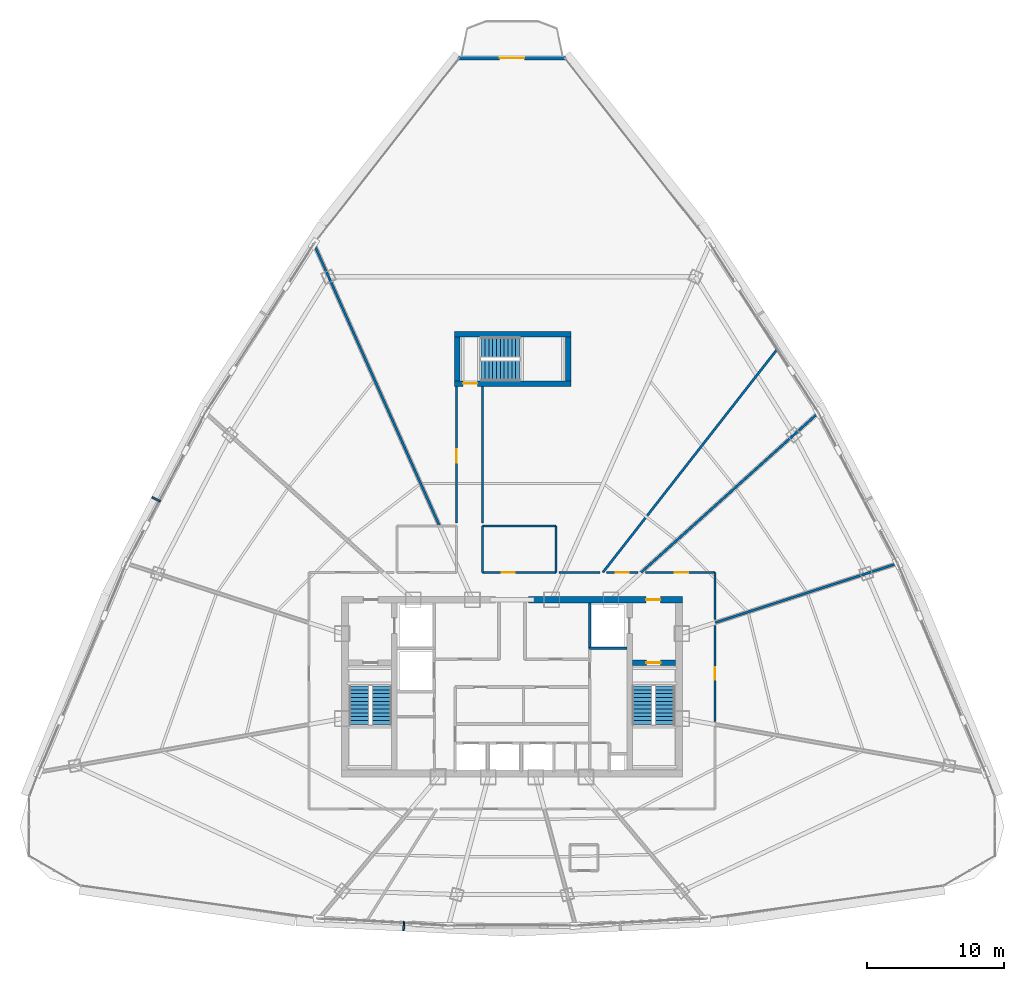
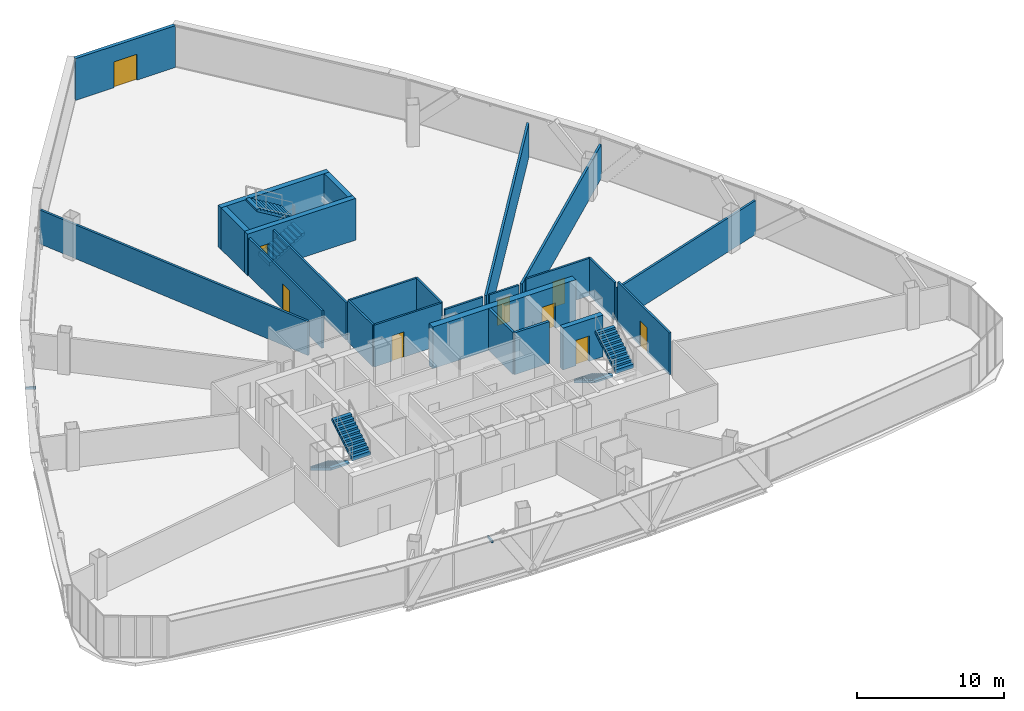
# One storey, part 32 of 37: 24 walls, 9 doors, 6 stair flights, 2 discrete accessories, 9 openings, 3 elements without a shape of their own.
"""IFC4 building model written with IfcOpenShell, lengths in metres."""

from ifc_helpers import new_model, si_unit, direction, frame, frame_2d, origin, origin_with_axes, origin_2d, place, context, subcontext, project, spatial, polyline, rectangle, outline, extrude, source, transform, mapped, material, layer, layer_set, type_object, element, fill, aggregate, save


model = new_model("IFC4")

# Units and contexts
model_context = context("Model", 3, precision=1e-05, world=origin(), true_north=direction((0.0, 1.0)))
body_context = subcontext(model_context, "Body", "Model", "MODEL_VIEW")
ifc_project = project(units=[si_unit("LENGTHUNIT", "METRE"), si_unit("AREAUNIT", "SQUARE_METRE"), si_unit("VOLUMEUNIT", "CUBIC_METRE"), si_unit("PLANEANGLEUNIT", "RADIAN"), si_unit("MASSUNIT", "GRAM", prefix="KILO"), si_unit("THERMODYNAMICTEMPERATUREUNIT", "KELVIN"), si_unit("POWERUNIT", "WATT")], contexts=[model_context])

# Site, building, storey
site_placement = place(None, origin())
site = spatial("IfcSite", under=ifc_project, at=site_placement, CompositionType="ELEMENT")
building_placement = place(site_placement, origin())
building = spatial("IfcBuilding", under=site, at=building_placement, Name="Yunzhuo Pagoda Commons", CompositionType="ELEMENT")
storey_placement = place(building_placement, frame((0.0, 0.0, 240.800048828125)))
storey = spatial("IfcBuildingStorey", under=building, at=storey_placement, Name="L60", CompositionType="ELEMENT", Elevation=240.800048828125)

# Wall, opening, door
ifc_material_1 = material(Name="Precast concrete C40", Category="concrete")
ifc_layer_1 = layer(ifc_material_1, 0.260009765625)
ifc_layer_set_1 = layer_set([ifc_layer_1], Name="Precast concrete C40")
wall_type_1 = type_object("IfcWallType", Name="W-BAL1 Corner Balcony Threshold Wall 260", PredefinedType="STANDARD", material=ifc_layer_set_1)
wall_1_placement = place(storey_placement, frame((51.923583984375, 79.7998046875, 0.0), z_axis=(0.0, 0.0, 1.0), x_axis=(-1.0, 0.0, 0.0)))
wall_1 = element("IfcWall", 1, at=wall_1_placement, inside=storey, type_object=wall_type_1, Name="L60 corner balcony wall V3", PredefinedType="STANDARD", context=body_context, shape_type="SweptSolid", body=[
    extrude(rectangle(XDim=7.84716796875, YDim=0.260009765625, at=frame_2d((3.923583984375, 0.0))), origin(), (0.0, 0.0, 1.0), 3.469970703125),
])
opening_1_placement = place(wall_1_placement, frame((3.023681640625, 0.0, 0.0)))
opening_1 = element("IfcOpeningElement", 2, at=opening_1_placement, cuts=wall_1, Name="Opening D-BAL1", PredefinedType="OPENING", context=body_context, shape_type="SweptSolid", body=[
    extrude(rectangle(XDim=1.800048828125, YDim=2.14990234375, at=frame_2d((0.89990234375, 1.074951171875))), frame((0.0, 0.14013671875, 0.0), z_axis=(0.0, -1.0, 0.0), x_axis=(1.0, 0.0, 0.0)), (0.0, 0.0, 1.0), 0.280029296875),
])
ifc_material_2 = material(Name="Anodized aluminium frame and tempered glazed leaf", Category="aluminium")
door_type_1 = type_object("IfcDoorType", Name="D-BAL1 Corner Balcony Sliding Glazed Door 1800x2150", OperationType="DOUBLE_DOOR_SLIDING", PredefinedType="DOOR", material=ifc_material_2)
shared_shape_1 = source(origin(), body_context, "Body", "SweptSolid", [
    extrude(rectangle(XDim=1.800048828125, YDim=2.14990234375, at=frame_2d((0.89990234375, 1.074951171875))), frame((0.0, 0.02490234375, 0.0), z_axis=(0.0, -1.0, 0.0), x_axis=(1.0, 0.0, 0.0)), (0.0, 0.0, 1.0), 0.050048828125),
])
door_1_placement = place(opening_1_placement, origin_with_axes())
door_1 = element("IfcDoor", 3, at=door_1_placement, inside=storey, type_object=door_type_1, Name="L60 corner balcony sliding door V3", OperationType="DOUBLE_DOOR_SLIDING", OverallHeight=2.14990234375, OverallWidth=1.800048828125, PredefinedType="DOOR", context=body_context, shape_type="MappedRepresentation", body=[
    mapped(shared_shape_1, transform((0.0, 0.0, 0.0), scale=1.0)),
])
fill(opening_1, door_1)

ifc_material_3 = material(Name="Concrete C50", Category="concrete")
ifc_layer_2 = layer(ifc_material_3, 0.5)
ifc_layer_set_2 = layer_set([ifc_layer_2], Name="Concrete C50")
wall_type_2 = type_object("IfcWallType", Name="W-C03 Upper Core Shear Wall 500", PredefinedType="SHEAR", material=ifc_layer_set_2)
wall_2_placement = place(storey_placement, frame((49.199951171875, 40.199951171875, 0.0), z_axis=(0.0, 0.0, 1.0), x_axis=(1.0, 0.0, 0.0)))
wall_2 = element("IfcWall", 4, at=wall_2_placement, inside=storey, type_object=wall_type_2, Name="L60 core shear wall NE", PredefinedType="SHEAR", context=body_context, shape_type="SweptSolid", body=[
    extrude(rectangle(XDim=11.25, YDim=0.5, at=frame_2d((5.625, 0.0))), origin(), (0.0, 0.0, 1.0), 3.469970703125),
])
opening_2_placement = place(wall_2_placement, frame((8.60009765625, 0.0, 0.0)))
opening_2 = element("IfcOpeningElement", 5, at=opening_2_placement, cuts=wall_2, Name="Opening D-02", PredefinedType="OPENING", context=body_context, shape_type="SweptSolid", body=[
    extrude(rectangle(XDim=1.050048828125, YDim=2.10009765625, at=frame_2d((0.52490234375, 1.050048828125))), frame((0.0, 0.260009765625, 0.0), z_axis=(0.0, -1.0, 0.0), x_axis=(1.0, 0.0, 0.0)), (0.0, 0.0, 1.0), 0.52001953125),
])
ifc_material_4 = material(Name="Galvanized fire-resisting metal leaf")
door_type_2 = type_object("IfcDoorType", Name="D-02 Firefighting Lobby & Refuge Fire Door 1050x2100", OperationType="NOTDEFINED", PredefinedType="DOOR", material=ifc_material_4)
shared_shape_2 = source(origin(), body_context, "Body", "SweptSolid", [
    extrude(rectangle(XDim=1.050048828125, YDim=2.10009765625, at=frame_2d((0.52490234375, 1.050048828125))), frame((0.0, 0.02490234375, 0.0), z_axis=(0.0, -1.0, 0.0), x_axis=(1.0, 0.0, 0.0)), (0.0, 0.0, 1.0), 0.050048828125),
])
door_2_placement = place(opening_2_placement, frame((1.050048828125, 0.0, 0.0), z_axis=(0.0, 0.0, 1.0), x_axis=(-1.0, 0.0, 0.0)))
door_2 = element("IfcDoor", 6, at=door_2_placement, inside=storey, type_object=door_type_2, Name="L60 Firefighting Lobby 2 fire door", OperationType="SINGLE_SWING_RIGHT", OverallHeight=2.10009765625, OverallWidth=1.050048828125, PredefinedType="DOOR", context=body_context, shape_type="MappedRepresentation", body=[
    mapped(shared_shape_2, transform((0.0, 0.0, 0.0), scale=1.0)),
])
fill(opening_2, door_2)

ifc_material_5 = material(Name="Gypsum plasterboard on acoustic stud")
ifc_layer_3 = layer(ifc_material_5, 0.14990234375)
ifc_layer_set_3 = layer_set([ifc_layer_3], Name="Gypsum plasterboard on acoustic stud")
wall_type_3 = type_object("IfcWallType", Name="W-COR3 High-Zone Rated Corridor Wall 150", PredefinedType="PARTITIONING", material=ifc_layer_set_3)
wall_3_placement = place(storey_placement, frame((45.85009765625, 42.199951171875, 0.0), z_axis=(0.0, 0.0, 1.0), x_axis=(1.0, 0.0, 0.0)))
wall_3 = element("IfcWall", 7, at=wall_3_placement, inside=storey, type_object=wall_type_3, Name="L60 interior wall IW-L60-TFES", PredefinedType="PARTITIONING", context=body_context, shape_type="SweptSolid", body=[
    extrude(rectangle(XDim=5.349853515625, YDim=0.14990234375, at=frame_2d((2.6748046875, 0.0))), origin(), (0.0, 0.0, 1.0), 3.469970703125),
])
opening_3_placement = place(wall_3_placement, frame((1.39990234375, 0.0, 0.0)))
opening_3 = element("IfcOpeningElement", 8, at=opening_3_placement, cuts=wall_3, Name="Opening D-11", PredefinedType="OPENING", context=body_context, shape_type="SweptSolid", body=[
    extrude(rectangle(XDim=0.93994140625, YDim=2.10009765625, at=frame_2d((0.469970703125, 1.050048828125))), frame((0.0, 0.0849609375, 0.0), z_axis=(0.0, -1.0, 0.0), x_axis=(1.0, 0.0, 0.0)), (0.0, 0.0, 1.0), 0.169921875),
])
door_type_3 = type_object("IfcDoorType", Name="D-11 Accessible Washroom Fire Door 940x2100", OperationType="NOTDEFINED", PredefinedType="DOOR", material=ifc_material_4)
shared_shape_3 = source(origin(), body_context, "Body", "SweptSolid", [
    extrude(rectangle(XDim=0.93994140625, YDim=2.10009765625, at=frame_2d((0.469970703125, 1.050048828125))), frame((0.0, 0.02490234375, 0.0), z_axis=(0.0, -1.0, 0.0), x_axis=(1.0, 0.0, 0.0)), (0.0, 0.0, 1.0), 0.050048828125),
])
door_3_placement = place(opening_3_placement, frame((0.93994140625, 0.0, 0.0), z_axis=(0.0, 0.0, 1.0), x_axis=(-1.0, 0.0, 0.0)))
door_3 = element("IfcDoor", 9, at=door_3_placement, inside=storey, type_object=door_type_3, Name="L60 accessible WC door", OperationType="SINGLE_SWING_RIGHT", OverallHeight=2.10009765625, OverallWidth=0.93994140625, PredefinedType="DOOR", context=body_context, shape_type="MappedRepresentation", body=[
    mapped(shared_shape_3, transform((0.0, 0.0, 0.0), scale=1.0)),
])
fill(opening_3, door_3)

# Walls
wall_4_placement = place(storey_placement, frame((45.85009765625, 45.60009765625, 0.0), z_axis=(0.0, 0.0, 1.0), x_axis=(1.0, 0.0, 0.0)))
element("IfcWall", 10, at=wall_4_placement, inside=storey, type_object=wall_type_3, Name="L60 interior wall IW-L60-TFEN", PredefinedType="PARTITIONING", context=body_context, shape_type="SweptSolid", body=[
    extrude(rectangle(XDim=5.349853515625, YDim=0.14990234375, at=frame_2d((2.6748046875, 0.0))), origin(), (0.0, 0.0, 1.0), 3.469970703125),
])
for number, where, z_axis, x_axis, name in (
    (11, (45.85009765625, 42.199951171875, 0.0), (0.0, 0.0, 1.0), (0.0, 1.0, 0.0), "L60 interior wall IW-L60-TFEW"),
    (12, (51.199951171875, 42.199951171875, 0.0), (0.0, 0.0, 1.0), (0.0, 1.0, 0.0), "L60 interior wall IW-L60-TFEE"),
):
    element("IfcWall", number, at=place(storey_placement, frame(where, z_axis=z_axis, x_axis=x_axis)), inside=storey, type_object=wall_type_3, Name=name, PredefinedType="PARTITIONING", context=body_context, shape_type="SweptSolid", body=[
        extrude(rectangle(XDim=3.400146484375, YDim=0.14990234375, at=frame_2d((1.7001953125, 0.0))), origin(), (0.0, 0.0, 1.0), 3.469970703125),
    ])

# Wall, opening, door
wall_5_placement = place(storey_placement, frame((43.949951171875, 45.820068359375, 0.0), z_axis=(0.0, 0.0, 1.0), x_axis=(0.0, 1.0, 0.0)))
wall_5 = element("IfcWall", 13, at=wall_5_placement, inside=storey, type_object=wall_type_3, Name="L60 interior wall IW-L60-CWL06", PredefinedType="PARTITIONING", context=body_context, shape_type="SweptSolid", body=[
    extrude(rectangle(XDim=9.9599609375, YDim=0.14990234375, at=frame_2d((4.97998046875, 0.0))), origin(), (0.0, 0.0, 1.0), 3.119873046875),
])
opening_4_placement = place(wall_5_placement, frame((4.39501953125, 0.0, 0.0)))
opening_4 = element("IfcOpeningElement", 14, at=opening_4_placement, cuts=wall_5, Name="Opening D-08", PredefinedType="OPENING", context=body_context, shape_type="SweptSolid", body=[
    extrude(rectangle(XDim=0.97998046875, YDim=2.1201171875, at=frame_2d((0.489990234375, 1.06005859375))), frame((0.0, 0.0849609375, 0.0), z_axis=(0.0, -1.0, 0.0), x_axis=(1.0, 0.0, 0.0)), (0.0, 0.0, 1.0), 0.169921875),
])
door_type_4 = type_object("IfcDoorType", Name="D-08 High-Zone Suite Entrance Fire Door 980x2120", OperationType="NOTDEFINED", PredefinedType="DOOR", material=ifc_material_4)
shared_shape_4 = source(origin(), body_context, "Body", "SweptSolid", [
    extrude(rectangle(XDim=0.97998046875, YDim=2.1201171875, at=frame_2d((0.489990234375, 1.06005859375))), frame((0.0, 0.02490234375, 0.0), z_axis=(0.0, -1.0, 0.0), x_axis=(1.0, 0.0, 0.0)), (0.0, 0.0, 1.0), 0.050048828125),
])
door_4_placement = place(opening_4_placement, origin_with_axes())
door_4 = element("IfcDoor", 15, at=door_4_placement, inside=storey, type_object=door_type_4, Name="L60 Shared Resident Kitchen and Pantry door", OperationType="SINGLE_SWING_LEFT", OverallHeight=2.1201171875, OverallWidth=0.97998046875, PredefinedType="DOOR", context=body_context, shape_type="MappedRepresentation", body=[
    mapped(shared_shape_4, transform((0.0, 0.0, 0.0), scale=1.0)),
])
fill(opening_4, door_4)

# Walls
wall_6_placement = place(storey_placement, frame((45.85009765625, 55.780029296875, 0.0), z_axis=(0.0, 0.0, 1.0), x_axis=(0.0, -1.0, 0.0)))
element("IfcWall", 16, at=wall_6_placement, inside=storey, type_object=wall_type_3, Name="L60 interior wall IW-L60-CWL07", PredefinedType="PARTITIONING", context=body_context, shape_type="SweptSolid", body=[
    extrude(rectangle(XDim=9.9599609375, YDim=0.14990234375, at=frame_2d((4.97998046875, 0.0))), origin(), (0.0, 0.0, 1.0), 3.119873046875),
])
wall_7_placement = place(storey_placement, frame((51.419921875, 42.199951171875, 0.0), z_axis=(0.0, 0.0, 1.0), x_axis=(1.0, 0.0, 0.0)))
element("IfcWall", 17, at=wall_7_placement, inside=storey, type_object=wall_type_3, Name="L60 interior wall IW-L60-CWL08", PredefinedType="PARTITIONING", context=body_context, shape_type="SweptSolid", body=[
    extrude(rectangle(XDim=3.001220703125, YDim=0.14990234375, at=frame_2d((1.50048828125, 0.0))), origin(), (0.0, 0.0, 1.0), 2.820068359375),
])

# Wall, opening, door
wall_8_placement = place(storey_placement, frame((54.920166015625, 42.199951171875, 0.0), z_axis=(0.0, 0.0, 1.0), x_axis=(1.0, 0.0, 0.0)))
wall_8 = element("IfcWall", 18, at=wall_8_placement, inside=storey, type_object=wall_type_3, Name="L60 interior wall IW-L60-CWL09", PredefinedType="PARTITIONING", context=body_context, shape_type="SweptSolid", body=[
    extrude(rectangle(XDim=2.30029296875, YDim=0.14990234375, at=frame_2d((1.150146484375, 0.0))), origin(), (0.0, 0.0, 1.0), 2.820068359375),
])
opening_5_placement = place(wall_8_placement, frame((0.6455078125, 0.0, 0.0)))
opening_5 = element("IfcOpeningElement", 19, at=opening_5_placement, cuts=wall_8, Name="Opening D-08", PredefinedType="OPENING", context=body_context, shape_type="SweptSolid", body=[
    extrude(rectangle(XDim=0.97998046875, YDim=2.1201171875, at=frame_2d((0.489990234375, 1.06005859375))), frame((0.0, 0.0849609375, 0.0), z_axis=(0.0, -1.0, 0.0), x_axis=(1.0, 0.0, 0.0)), (0.0, 0.0, 1.0), 0.169921875),
])
door_5_placement = place(opening_5_placement, origin_with_axes())
door_5 = element("IfcDoor", 20, at=door_5_placement, inside=storey, type_object=door_type_4, Name="L60 unit 03 entrance door", OperationType="SINGLE_SWING_RIGHT", OverallHeight=2.1201171875, OverallWidth=0.97998046875, PredefinedType="DOOR", context=body_context, shape_type="MappedRepresentation", body=[
    mapped(shared_shape_4, transform((0.0, 0.0, 0.0), scale=1.0)),
])
fill(opening_5, door_5)

wall_9_placement = place(storey_placement, frame((57.76904296875, 42.199951171875, 0.0), z_axis=(0.0, 0.0, 1.0), x_axis=(1.0, 0.0, 0.0)))
wall_9 = element("IfcWall", 21, at=wall_9_placement, inside=storey, type_object=wall_type_3, Name="L60 interior wall IW-L60-CWL10", PredefinedType="PARTITIONING", context=body_context, shape_type="SweptSolid", body=[
    extrude(rectangle(XDim=5.0810546875, YDim=0.14990234375, at=frame_2d((2.54052734375, 0.0))), origin(), (0.0, 0.0, 1.0), 3.119873046875),
])
opening_6_placement = place(wall_9_placement, frame((2.131103515625, 0.0, 0.0)))
opening_6 = element("IfcOpeningElement", 22, at=opening_6_placement, cuts=wall_9, Name="Opening D-08", PredefinedType="OPENING", context=body_context, shape_type="SweptSolid", body=[
    extrude(rectangle(XDim=0.97998046875, YDim=2.1201171875, at=frame_2d((0.489990234375, 1.06005859375))), frame((0.0, 0.0849609375, 0.0), z_axis=(0.0, -1.0, 0.0), x_axis=(1.0, 0.0, 0.0)), (0.0, 0.0, 1.0), 0.169921875),
])
door_6_placement = place(opening_6_placement, origin_with_axes())
door_6 = element("IfcDoor", 23, at=door_6_placement, inside=storey, type_object=door_type_4, Name="L60 unit 02 entrance door", OperationType="SINGLE_SWING_LEFT", OverallHeight=2.1201171875, OverallWidth=0.97998046875, PredefinedType="DOOR", context=body_context, shape_type="MappedRepresentation", body=[
    mapped(shared_shape_4, transform((0.0, 0.0, 0.0), scale=1.0)),
])
fill(opening_6, door_6)

# Wall
wall_10_placement = place(storey_placement, frame((62.85009765625, 42.199951171875, 0.0), z_axis=(0.0, 0.0, 1.0), x_axis=(0.0, -1.0, 0.0)))
element("IfcWall", 24, at=wall_10_placement, inside=storey, type_object=wall_type_3, Name="L60 interior wall IW-L60-CWL11", PredefinedType="PARTITIONING", context=body_context, shape_type="SweptSolid", body=[
    extrude(rectangle(XDim=3.443603515625, YDim=0.14990234375, at=frame_2d((1.7216796875, 0.0))), origin(), (0.0, 0.0, 1.0), 3.119873046875),
])

# Wall, opening, door
wall_11_placement = place(storey_placement, frame((62.85009765625, 38.305419921875, 0.0), z_axis=(0.0, 0.0, 1.0), x_axis=(0.0, -1.0, 0.0)))
wall_11 = element("IfcWall", 25, at=wall_11_placement, inside=storey, type_object=wall_type_3, Name="L60 interior wall IW-L60-CWL12", PredefinedType="PARTITIONING", context=body_context, shape_type="SweptSolid", body=[
    extrude(rectangle(XDim=7.004150390625, YDim=0.14990234375, at=frame_2d((3.501953125, 0.0))), origin(), (0.0, 0.0, 1.0), 3.469970703125),
])
opening_7_placement = place(wall_11_placement, frame((3.0419921875, 0.0, 0.0)))
opening_7 = element("IfcOpeningElement", 26, at=opening_7_placement, cuts=wall_11, Name="Opening D-04", PredefinedType="OPENING", context=body_context, shape_type="SweptSolid", body=[
    extrude(rectangle(XDim=0.919921875, YDim=2.10009765625, at=frame_2d((0.4599609375, 1.050048828125))), frame((0.0, 0.0849609375, 0.0), z_axis=(0.0, -1.0, 0.0), x_axis=(1.0, 0.0, 0.0)), (0.0, 0.0, 1.0), 0.169921875),
])
ifc_material_6 = material(Name="Powder-coated aluminium and timber acoustic leaf", Category="wood")
door_type_5 = type_object("IfcDoorType", Name="D-04 Bedroom & Study Interior Door 920x2100", OperationType="NOTDEFINED", PredefinedType="DOOR", material=ifc_material_6)
shared_shape_5 = source(origin(), body_context, "Body", "SweptSolid", [
    extrude(rectangle(XDim=0.919921875, YDim=2.10009765625, at=frame_2d((0.4599609375, 1.050048828125))), frame((0.0, 0.02490234375, 0.0), z_axis=(0.0, -1.0, 0.0), x_axis=(1.0, 0.0, 0.0)), (0.0, 0.0, 1.0), 0.050048828125),
])
door_7_placement = place(opening_7_placement, origin_with_axes())
door_7 = element("IfcDoor", 27, at=door_7_placement, inside=storey, type_object=door_type_5, Name="L60 seminar room 01 door", OperationType="SINGLE_SWING_RIGHT", OverallHeight=2.10009765625, OverallWidth=0.919921875, PredefinedType="DOOR", context=body_context, shape_type="MappedRepresentation", body=[
    mapped(shared_shape_5, transform((0.0, 0.0, 0.0), scale=1.0)),
])
fill(opening_7, door_7)

# Walls
ifc_layer_4 = layer(ifc_material_5, 0.169921875)
ifc_layer_set_4 = layer_set([ifc_layer_4], Name="Gypsum plasterboard on acoustic stud")
wall_type_4 = type_object("IfcWallType", Name="W-PRT4 High-Zone Demising Wall 170", PredefinedType="PARTITIONING", material=ifc_layer_set_4)
wall_12_placement = place(storey_placement, frame((62.85009765625, 38.525146484375, 0.0), z_axis=(0.0, 0.0, 1.0), x_axis=(0.951060404644, 0.309005027011, 0.0)))
element("IfcWall", 28, at=wall_12_placement, inside=storey, type_object=wall_type_4, Name="L60 interior wall IW-L60-RAD01", PredefinedType="PARTITIONING", context=body_context, shape_type="SweptSolid", body=[
    extrude(rectangle(XDim=14.031982421875, YDim=0.169921875, at=frame_2d((7.01611328125, 0.0))), origin(), (0.0, 0.0, 1.0), 2.820068359375),
])
wall_13_placement = place(storey_placement, frame((57.440185546875, 42.199951171875, 0.0), z_axis=(0.0, 0.0, 1.0), x_axis=(0.743140424774, 0.669135493802, 0.0)))
element("IfcWall", 29, at=wall_13_placement, inside=storey, type_object=wall_type_4, Name="L60 interior wall IW-L60-RAD02", PredefinedType="PARTITIONING", context=body_context, shape_type="SweptSolid", body=[
    extrude(rectangle(XDim=17.454833984375, YDim=0.169921875, at=frame_2d((8.7275390625, 0.0))), origin(), (0.0, 0.0, 1.0), 2.820068359375),
])
wall_14_placement = place(storey_placement, frame((54.640869140625, 42.199951171875, 0.0), z_axis=(0.0, 0.0, 1.0), x_axis=(0.615664824624, 0.788008136837, 0.0)))
element("IfcWall", 30, at=wall_14_placement, inside=storey, type_object=wall_type_4, Name="L60 interior wall IW-L60-RAD03", PredefinedType="PARTITIONING", context=body_context, shape_type="SweptSolid", body=[
    extrude(rectangle(XDim=20.74462890625, YDim=0.169921875, at=frame_2d((10.372314453125, 0.0))), origin(), (0.0, 0.0, 1.0), 2.820068359375),
])
wall_15_placement = place(storey_placement, frame((42.701904296875, 45.60009765625, 0.0), z_axis=(0.0, 0.0, 1.0), x_axis=(-0.406745472033, 0.913541526686, 0.0)))
element("IfcWall", 31, at=wall_15_placement, inside=storey, type_object=wall_type_4, Name="L60 interior wall IW-L60-RAD04", PredefinedType="PARTITIONING", context=body_context, shape_type="SweptSolid", body=[
    extrude(rectangle(XDim=22.573974609375, YDim=0.169921875, at=frame_2d((11.287109375, 0.0))), origin(), (0.0, 0.0, 1.0), 2.820068359375),
])

# Wall, opening, door
ifc_material_7 = material(Name="Concrete C60", Category="concrete")
ifc_layer_5 = layer(ifc_material_7, 0.39990234375)
ifc_layer_set_5 = layer_set([ifc_layer_5], Name="Concrete C60")
wall_type_5 = type_object("IfcWallType", Name="W-S01 Internal Core Shear Web 400", PredefinedType="SHEAR", material=ifc_layer_set_5)
wall_16_placement = place(storey_placement, frame((56.800048828125, 35.60009765625, 0.0), z_axis=(0.0, 0.0, 1.0), x_axis=(1.0, 0.0, 0.0)))
wall_16 = element("IfcWall", 32, at=wall_16_placement, inside=storey, type_object=wall_type_5, Name="L60 core shear wall STE", PredefinedType="SHEAR", context=body_context, shape_type="SweptSolid", body=[
    extrude(rectangle(XDim=3.14990234375, YDim=0.39990234375, at=frame_2d((1.574951171875, 0.0))), origin(), (0.0, 0.0, 1.0), 3.469970703125),
])
opening_8_placement = place(wall_16_placement, frame((1.02001953125, 0.0, 0.0)))
opening_8 = element("IfcOpeningElement", 33, at=opening_8_placement, cuts=wall_16, Name="Opening D-01", PredefinedType="OPENING", context=body_context, shape_type="SweptSolid", body=[
    extrude(rectangle(XDim=1.050048828125, YDim=2.10009765625, at=frame_2d((0.52490234375, 1.050048828125))), frame((0.0, 0.2099609375, 0.0), z_axis=(0.0, -1.0, 0.0), x_axis=(1.0, 0.0, 0.0)), (0.0, 0.0, 1.0), 0.419921875),
])
door_type_6 = type_object("IfcDoorType", Name="D-01 Smokeproof Stair Fire Door 1050x2100", OperationType="NOTDEFINED", PredefinedType="DOOR", material=ifc_material_4)
door_8_placement = place(opening_8_placement, frame((1.050048828125, 0.0, 0.0), z_axis=(0.0, 0.0, 1.0), x_axis=(-1.0, 0.0, 0.0)))
door_8 = element("IfcDoor", 34, at=door_8_placement, inside=storey, type_object=door_type_6, Name="L60 Stair ST2 fire door", OperationType="SINGLE_SWING_RIGHT", OverallHeight=2.10009765625, OverallWidth=1.050048828125, PredefinedType="DOOR", context=body_context, shape_type="MappedRepresentation", body=[
    mapped(shared_shape_2, transform((0.0, 0.0, 0.0), scale=1.0)),
])
fill(opening_8, door_8)

# Wall
wall_17_placement = place(storey_placement, frame((43.800048828125, 59.60009765625, 0.0), z_axis=(0.0, 0.0, 1.0), x_axis=(1.0, 0.0, 0.0)))
element("IfcWall", 35, at=wall_17_placement, inside=storey, type_object=wall_type_5, Name="L60 ST3 structural stair wall N", PredefinedType="SHEAR", context=body_context, shape_type="SweptSolid", body=[
    extrude(rectangle(XDim=8.5, YDim=0.39990234375, at=frame_2d((4.25, 0.0))), origin(), (0.0, 0.0, 1.0), 3.469970703125),
])

# Wall, opening, door
wall_18_placement = place(storey_placement, frame((43.800048828125, 56.0, 0.0), z_axis=(0.0, 0.0, 1.0), x_axis=(1.0, 0.0, 0.0)))
wall_18 = element("IfcWall", 36, at=wall_18_placement, inside=storey, type_object=wall_type_5, Name="L60 ST3 structural stair wall S", PredefinedType="SHEAR", context=body_context, shape_type="SweptSolid", body=[
    extrude(rectangle(XDim=8.5, YDim=0.39990234375, at=frame_2d((4.25, 0.0))), origin(), (0.0, 0.0, 1.0), 3.469970703125),
])
opening_9_placement = place(wall_18_placement, frame((0.6201171875, 0.0, 0.0)))
opening_9 = element("IfcOpeningElement", 37, at=opening_9_placement, cuts=wall_18, Name="Opening D-01", PredefinedType="OPENING", context=body_context, shape_type="SweptSolid", body=[
    extrude(rectangle(XDim=1.050048828125, YDim=2.10009765625, at=frame_2d((0.52490234375, 1.050048828125))), frame((0.0, 0.2099609375, 0.0), z_axis=(0.0, -1.0, 0.0), x_axis=(1.0, 0.0, 0.0)), (0.0, 0.0, 1.0), 0.419921875),
])
door_9_placement = place(opening_9_placement, frame((1.050048828125, 0.0, 0.0), z_axis=(0.0, 0.0, 1.0), x_axis=(-1.0, 0.0, 0.0)))
door_9 = element("IfcDoor", 38, at=door_9_placement, inside=storey, type_object=door_type_6, Name="L60 Stair ST3 fire door", OperationType="SINGLE_SWING_LEFT", OverallHeight=2.10009765625, OverallWidth=1.050048828125, PredefinedType="DOOR", context=body_context, shape_type="MappedRepresentation", body=[
    mapped(shared_shape_2, transform((0.0, 0.0, 0.0), scale=1.0)),
])
fill(opening_9, door_9)

# Walls
for number, where, z_axis, x_axis, name in (
    (39, (44.0, 56.199951171875, 0.0), (0.0, 0.0, 1.0), (0.0, 1.0, 0.0), "L60 ST3 structural stair wall W"),
    (40, (52.10009765625, 56.199951171875, 0.0), (0.0, 0.0, 1.0), (0.0, 1.0, 0.0), "L60 ST3 structural stair wall E"),
):
    element("IfcWall", number, at=place(storey_placement, frame(where, z_axis=z_axis, x_axis=x_axis)), inside=storey, type_object=wall_type_5, Name=name, PredefinedType="SHEAR", context=body_context, shape_type="SweptSolid", body=[
        extrude(rectangle(XDim=3.199951171875, YDim=0.39990234375, at=frame_2d((1.60009765625, 0.0))), origin(), (0.0, 0.0, 1.0), 3.469970703125),
    ])
ifc_material_8 = material(Name="Concrete C40", Category="concrete")
ifc_layer_6 = layer(ifc_material_8, 0.199951171875)
ifc_layer_set_6 = layer_set([ifc_layer_6], Name="Concrete C40")
wall_type_6 = type_object("IfcWallType", Name="W-SHF Shaft & Stair Enclosure Wall 200", PredefinedType="SOLIDWALL", material=ifc_layer_set_6)
wall_19_placement = place(storey_placement, frame((53.679931640625, 36.64990234375, 0.0), z_axis=(0.0, 0.0, 1.0), x_axis=(0.0, 1.0, 0.0)))
element("IfcWall", 41, at=wall_19_placement, inside=storey, type_object=wall_type_6, Name="L60 interior wall IW-L60-FL2W", PredefinedType="SOLIDWALL", context=body_context, shape_type="SweptSolid", body=[
    extrude(rectangle(XDim=3.300048828125, YDim=0.199951171875, at=frame_2d((1.64990234375, 0.0))), origin(), (0.0, 0.0, 1.0), 3.469970703125),
])
wall_20_placement = place(storey_placement, frame((53.679931640625, 36.64990234375, 0.0), z_axis=(0.0, 0.0, 1.0), x_axis=(1.0, 0.0, 0.0)))
element("IfcWall", 42, at=wall_20_placement, inside=storey, type_object=wall_type_6, Name="L60 interior wall IW-L60-FL2S", PredefinedType="SOLIDWALL", context=body_context, shape_type="SweptSolid", body=[
    extrude(rectangle(XDim=2.719970703125, YDim=0.199951171875, at=frame_2d((1.35986328125, 0.0))), origin(), (0.0, 0.0, 1.0), 3.469970703125),
])

# Stair, stair flights
stair_type_1 = type_object("IfcStairType", Name="ST-C1 Core Smokeproof Stair ST1", PredefinedType="HALF_TURN_STAIR", material=ifc_material_8)
stair_1_placement = place(storey_placement, origin())
stair_1 = element("IfcStair", 43, at=stair_1_placement, inside=storey, type_object=stair_type_1, Name="L60 Core smokeproof stair ST1", PredefinedType="HALF_TURN_STAIR")
stair_flight_type_1 = type_object("IfcStairFlightType", Name="STF-C1 Core Stair Flight 1450", PredefinedType="STRAIGHT", material=ifc_material_8)
shared_shape_6 = source(origin(), body_context, "Body", "SweptSolid", [
    extrude(outline(polyline([(0.0, -0.14990234375), (0.0, 0.0), (0.0, 0.16943359375), (0.280029296875, 0.16943359375), (0.280029296875, 0.339111328125), (0.56005859375, 0.339111328125), (0.56005859375, 0.508544921875), (0.840087890625, 0.508544921875), (0.840087890625, 0.67822265625), (1.1201171875, 0.67822265625), (1.1201171875, 0.84765625), (1.39990234375, 0.84765625), (1.39990234375, 1.017333984375), (1.679931640625, 1.017333984375), (1.679931640625, 1.186767578125), (1.9599609375, 1.186767578125), (1.9599609375, 1.3564453125), (2.239990234375, 1.3564453125), (2.239990234375, 1.52587890625), (2.52001953125, 1.52587890625), (2.52001953125, 1.695556640625), (2.800048828125, 1.695556640625), (2.800048828125, 1.864990234375), (2.800048828125, 1.520263671875), (0.289306640625, 0.0), (0.050048828125, -0.14990234375), (0.0, -0.14990234375)])), frame((0.0, 0.72509765625, 0.0), z_axis=(0.0, -1.0, 0.0), x_axis=(1.0, 0.0, 0.0)), (0.0, 0.0, 1.0), 1.449951171875),
])
stair_flight_1_placement = place(storey_placement, frame((36.824951171875, 33.89990234375, 0.0), z_axis=(0.0, 0.0, 1.0), x_axis=(0.0, -1.0, 0.0)))
stair_flight_1 = element("IfcStairFlight", 44, at=stair_flight_1_placement, type_object=stair_flight_type_1, Name="ST1 flight 1", NumberOfRisers=11, NumberOfTreads=10, PredefinedType="STRAIGHT", RiserHeight=0.169545455, TreadLength=0.28, context=body_context, shape_type="MappedRepresentation", body=[
    mapped(shared_shape_6, transform((0.0, 0.0, 0.0), scale=1.0)),
])
stair_flight_2_placement = place(storey_placement, frame((38.47509765625, 31.10009765625, 1.864990234375), z_axis=(0.0, 0.0, 1.0), x_axis=(0.0, 1.0, 0.0)))
stair_flight_2 = element("IfcStairFlight", 45, at=stair_flight_2_placement, type_object=stair_flight_type_1, Name="ST1 flight 2", NumberOfRisers=11, NumberOfTreads=10, PredefinedType="STRAIGHT", RiserHeight=0.169545455, TreadLength=0.28, context=body_context, shape_type="MappedRepresentation", body=[
    mapped(shared_shape_6, transform((0.0, 0.0, 0.0), scale=1.0)),
])
aggregate(stair_1, [stair_flight_1, stair_flight_2])

stair_type_2 = type_object("IfcStairType", Name="ST-C2 Core Smokeproof Stair ST2", PredefinedType="HALF_TURN_STAIR", material=ifc_material_8)
stair_2_placement = place(storey_placement, origin())
stair_2 = element("IfcStair", 46, at=stair_2_placement, inside=storey, type_object=stair_type_2, Name="L60 Core smokeproof stair ST2", PredefinedType="HALF_TURN_STAIR")
stair_flight_type_2 = type_object("IfcStairFlightType", Name="STF-C2 Core Stair Flight 1460", PredefinedType="STRAIGHT", material=ifc_material_8)
stair_flight_3_placement = place(storey_placement, frame((57.52490234375, 33.89990234375, 0.0), z_axis=(0.0, 0.0, 1.0), x_axis=(0.0, -1.0, 0.0)))
stair_flight_3 = element("IfcStairFlight", 47, at=stair_flight_3_placement, type_object=stair_flight_type_2, Name="ST2 flight 1", NumberOfRisers=11, NumberOfTreads=10, PredefinedType="STRAIGHT", RiserHeight=0.169545455, TreadLength=0.28, context=body_context, shape_type="MappedRepresentation", body=[
    mapped(shared_shape_6, transform((0.0, 0.0, 0.0), scale=1.0)),
])
stair_flight_4_placement = place(storey_placement, frame((59.175048828125, 31.10009765625, 1.864990234375), z_axis=(0.0, 0.0, 1.0), x_axis=(0.0, 1.0, 0.0)))
stair_flight_4 = element("IfcStairFlight", 48, at=stair_flight_4_placement, type_object=stair_flight_type_2, Name="ST2 flight 2", NumberOfRisers=11, NumberOfTreads=10, PredefinedType="STRAIGHT", RiserHeight=0.169545455, TreadLength=0.28, context=body_context, shape_type="MappedRepresentation", body=[
    mapped(shared_shape_6, transform((0.0, 0.0, 0.0), scale=1.0)),
])
aggregate(stair_2, [stair_flight_3, stair_flight_4])

stair_type_3 = type_object("IfcStairType", Name="ST-C3 North Tower Smokeproof Stair ST3", PredefinedType="HALF_TURN_STAIR", material=ifc_material_8)
stair_3_placement = place(storey_placement, origin())
stair_3 = element("IfcStair", 49, at=stair_3_placement, inside=storey, type_object=stair_type_3, Name="L60 North tower smokeproof stair ST3", PredefinedType="HALF_TURN_STAIR")
stair_flight_type_3 = type_object("IfcStairFlightType", Name="STF-C3 North Stair Flight 1500", PredefinedType="STRAIGHT", material=ifc_material_8)
shared_shape_7 = source(origin(), body_context, "Body", "SweptSolid", [
    extrude(outline(polyline([(0.0, -0.14990234375), (0.0, 0.0), (0.0, 0.16943359375), (0.280029296875, 0.16943359375), (0.280029296875, 0.339111328125), (0.56005859375, 0.339111328125), (0.56005859375, 0.508544921875), (0.840087890625, 0.508544921875), (0.840087890625, 0.67822265625), (1.1201171875, 0.67822265625), (1.1201171875, 0.84765625), (1.39990234375, 0.84765625), (1.39990234375, 1.017333984375), (1.679931640625, 1.017333984375), (1.679931640625, 1.186767578125), (1.9599609375, 1.186767578125), (1.9599609375, 1.3564453125), (2.239990234375, 1.3564453125), (2.239990234375, 1.52587890625), (2.52001953125, 1.52587890625), (2.52001953125, 1.695556640625), (2.800048828125, 1.695556640625), (2.800048828125, 1.864990234375), (2.800048828125, 1.520263671875), (0.289306640625, 0.0), (0.050048828125, -0.14990234375), (0.0, -0.14990234375)])), frame((0.0, 0.75, 0.0), z_axis=(0.0, -1.0, 0.0), x_axis=(1.0, 0.0, 0.0)), (0.0, 0.0, 1.0), 1.5),
])
stair_flight_5_placement = place(storey_placement, frame((45.75, 56.949951171875, 0.0), z_axis=(0.0, 0.0, 1.0), x_axis=(1.0, 0.0, 0.0)))
stair_flight_5 = element("IfcStairFlight", 50, at=stair_flight_5_placement, type_object=stair_flight_type_3, Name="ST3 flight 1", NumberOfRisers=11, NumberOfTreads=10, PredefinedType="STRAIGHT", RiserHeight=0.169545455, TreadLength=0.28, context=body_context, shape_type="MappedRepresentation", body=[
    mapped(shared_shape_7, transform((0.0, 0.0, 0.0), scale=1.0)),
])
stair_flight_6_placement = place(storey_placement, frame((48.550048828125, 58.64990234375, 1.864990234375), z_axis=(0.0, 0.0, 1.0), x_axis=(-1.0, 0.0, 0.0)))
stair_flight_6 = element("IfcStairFlight", 51, at=stair_flight_6_placement, type_object=stair_flight_type_3, Name="ST3 flight 2", NumberOfRisers=11, NumberOfTreads=10, PredefinedType="STRAIGHT", RiserHeight=0.169545455, TreadLength=0.28, context=body_context, shape_type="MappedRepresentation", body=[
    mapped(shared_shape_7, transform((0.0, 0.0, 0.0), scale=1.0)),
])
aggregate(stair_3, [stair_flight_5, stair_flight_6])

# Discrete accessories
ifc_material_9 = material(Name="Anodized aluminium 6063-T6", Category="aluminium")
discrete_accessory_type = type_object("IfcDiscreteAccessoryType", Name="BK-SUN1 Sunshade Outrigger Bracket", PredefinedType="BRACKET", material=ifc_material_9)
shared_shape_8 = source(origin(), body_context, "Body", "SweptSolid", [
    extrude(rectangle(XDim=0.1201171875, YDim=0.679931640625, at=origin_2d()), origin(), (0.0, 0.0, 1.0), 0.179931640625),
])
for number, where, z_axis, x_axis, name in (
    (52, (40.091796875, 16.343017578125, 3.259765625), (0.0, 0.0, 1.0), (0.998818043775, -0.04860571396, 0.0), "L60 sunshade outrigger bracket F1.2"),
    (53, (21.97900390625, 47.55078125, 3.259765625), (0.0, 0.0, 1.0), (-0.461206683033, -0.88729273384, 0.0), "L60 sunshade outrigger bracket F3.3"),
):
    element("IfcDiscreteAccessory", number, at=place(storey_placement, frame(where, z_axis=z_axis, x_axis=x_axis)), inside=storey, type_object=discrete_accessory_type, Name=name, PredefinedType="BRACKET", context=body_context, shape_type="MappedRepresentation", body=[
        mapped(shared_shape_8, transform((0.0, 0.0, 0.0), scale=1.0)),
    ])

save(model, "model.ifc")
